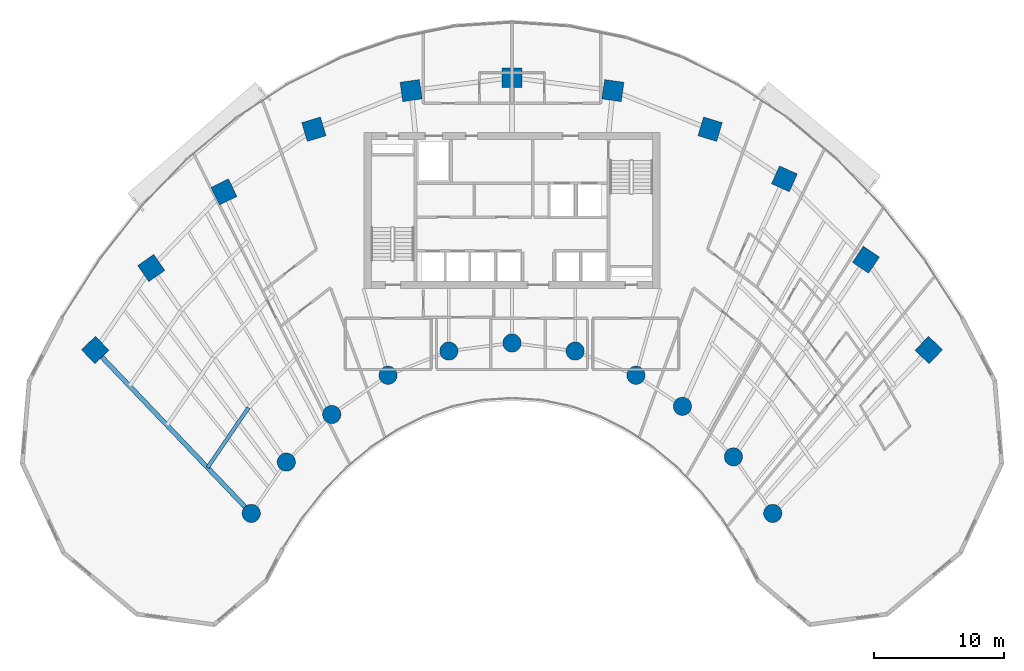
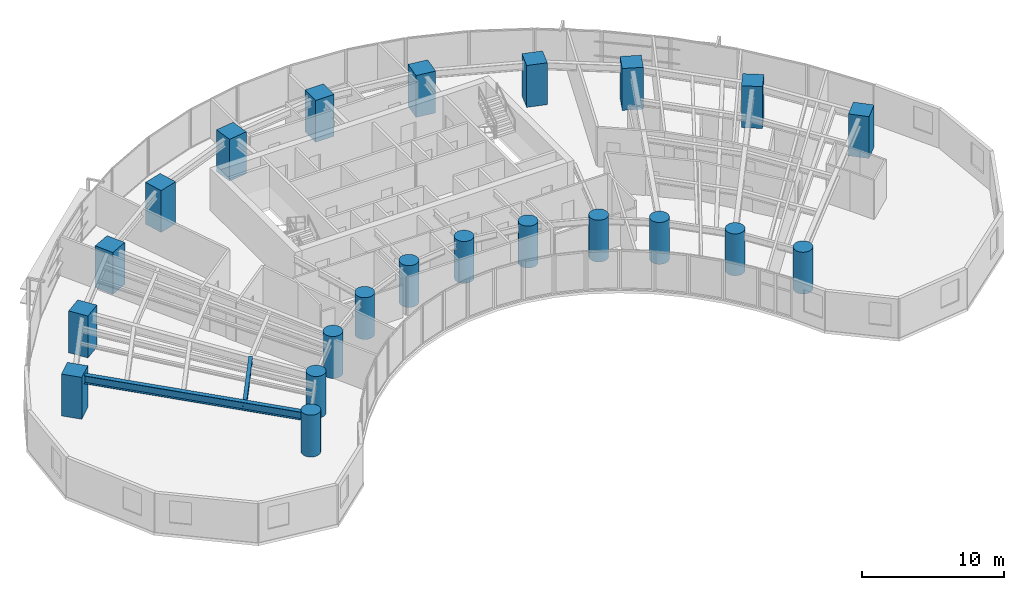
# One storey, part 1 of 17: 22 columns, 2 beams.
"""IFC4 building model written with IfcOpenShell, lengths in metres."""

from ifc_helpers import new_model, si_unit, direction, frame, origin, origin_2d, place, context, subcontext, project, spatial, rectangle, circle, i_section, extrude, source, transform, mapped, material, material_profile, profile_set, type_object, type_shapes, element, save


model = new_model("IFC4")

# Units and contexts
model_context = context("Model", 3, precision=1e-05, world=origin(), true_north=direction((0.0, 1.0)))
body_context = subcontext(model_context, "Body", "Model", "MODEL_VIEW")
ifc_project = project(units=[si_unit("LENGTHUNIT", "METRE"), si_unit("AREAUNIT", "SQUARE_METRE"), si_unit("VOLUMEUNIT", "CUBIC_METRE"), si_unit("PLANEANGLEUNIT", "RADIAN"), si_unit("MASSUNIT", "GRAM", prefix="KILO")], contexts=[model_context])

# Site, building, storey
site_placement = place(None, origin())
site = spatial("IfcSite", under=ifc_project, at=site_placement, CompositionType="ELEMENT")
building_placement = place(site_placement, origin())
building = spatial("IfcBuilding", under=site, at=building_placement, Name="Breltana Convention Tower", CompositionType="ELEMENT")
storey_placement = place(building_placement, frame((0.0, 0.0, 60.60009765625)))
storey = spatial("IfcBuildingStorey", under=building, at=storey_placement, Name="L13", CompositionType="ELEMENT", Elevation=60.60009765625)

# Columns
ifc_material_1 = material(Name="Concrete C60/75", Category="concrete")
ifc_material_profile_1 = material_profile(ifc_material_1, circle(Radius=0.699951171875, at=origin_2d()), Name="RC-COL-D1400")
ifc_profile_set_1 = profile_set([ifc_material_profile_1], Name="Concrete C60/75")
column_type_1 = type_object("IfcColumnType", Name="COL-RC-D1400", PredefinedType="COLUMN", material=ifc_profile_set_1)
shared_shape_1 = source(origin(), body_context, "Body", "SweptSolid", [
    extrude(circle(Radius=0.699951171875, at=origin_2d()), origin(), (0.0, 0.0, 1.0), 3.599853515625),
])
for number, where, z_axis, x_axis, name in (
    (1, (27.984619140625, 42.95458984375, 0.0), (0.0, 0.0, 1.0), (-0.690756218984, 0.723087716626, 0.0), "L13 Tower Column R01-IN"),
    (2, (30.67724609375, 46.892333984375, 0.0), (0.0, 0.0, 1.0), (-0.571143442153, 0.820850271661, 0.0), "L13 Tower Column R02-IN"),
    (3, (34.166259765625, 50.544921875, 0.0), (0.0, 0.0, 1.0), (-0.436173672171, 0.899862504889, 0.0), "L13 Tower Column R03-IN"),
    (4, (38.485107421875, 53.5576171875, 0.0), (0.0, 0.0, 1.0), (-0.288697611798, 0.957420330337, 0.0), "L13 Tower Column R04-IN"),
    (5, (43.153564453125, 55.41064453125, 0.0), (0.0, 0.0, 1.0), (-0.143492621991, 0.98965138682, 0.0), "L13 Tower Column R05-IN"),
    (6, (48.0, 56.035888671875, 0.0), (0.0, 0.0, 1.0), (0.0, 1.0, 0.0), "L13 Tower Column R06-IN"),
    (7, (52.846435546875, 55.41064453125, 0.0), (0.0, 0.0, 1.0), (0.143492621991, 0.98965138682, 0.0), "L13 Tower Column R07-IN"),
    (8, (57.514892578125, 53.5576171875, 0.0), (0.0, 0.0, 1.0), (0.288697611798, 0.957420330337, 0.0), "L13 Tower Column R08-IN"),
    (9, (61.08203125, 51.174560546875, 0.0), (0.0, 0.0, 1.0), (0.409126902895, 0.912477494148, 0.0), "L13 Tower Column R09-IN"),
    (10, (64.995849609375, 47.293701171875, 0.0), (0.0, 0.0, 1.0), (0.55774510898, 0.830012285095, 0.0), "L13 Tower Column R10-IN"),
    (11, (68.015380859375, 42.95458984375, 0.0), (0.0, 0.0, 1.0), (0.690756218984, 0.723087716626, 0.0), "L13 Tower Column R11-IN"),
):
    element("IfcColumn", number, at=place(storey_placement, frame(where, z_axis=z_axis, x_axis=x_axis)), inside=storey, type_object=column_type_1, Name=name, PredefinedType="COLUMN", context=body_context, shape_type="MappedRepresentation", body=[
        mapped(shared_shape_1, transform((0.0, 0.0, 0.0), scale=1.0)),
    ])
ifc_material_profile_2 = material_profile(ifc_material_1, rectangle(XDim=1.5, YDim=1.5, at=origin_2d()), Name="RC-COL-1500X1500")
ifc_profile_set_2 = profile_set([ifc_material_profile_2], Name="Concrete C60/75")
column_type_2 = type_object("IfcColumnType", Name="COL-RC-1500", PredefinedType="COLUMN", material=ifc_profile_set_2)
shared_shape_2 = source(origin(), body_context, "Body", "SweptSolid", [
    extrude(rectangle(XDim=1.5, YDim=1.5, at=origin_2d()), origin(), (0.0, 0.0, 1.0), 3.599853515625),
])
for number, where, z_axis, x_axis, name in (
    (12, (16.0068359375, 55.494384765625, 0.0), (0.0, 0.0, 1.0), (-0.690756218984, 0.723087716626, 0.0), "L13 Tower Column R01-OUT"),
    (13, (20.310791015625, 61.78857421875, 0.0), (0.0, 0.0, 1.0), (-0.571143442153, 0.820850271661, 0.0), "L13 Tower Column R02-OUT"),
    (14, (25.8876953125, 67.626953125, 0.0), (0.0, 0.0, 1.0), (-0.436173672171, 0.899862504889, 0.0), "L13 Tower Column R03-OUT"),
    (15, (32.791015625, 72.4423828125, 0.0), (0.0, 0.0, 1.0), (-0.288697611798, 0.957420330337, 0.0), "L13 Tower Column R04-OUT"),
    (16, (40.253173828125, 75.404296875, 0.0), (0.0, 0.0, 1.0), (-0.143492621991, 0.98965138682, 0.0), "L13 Tower Column R05-OUT"),
    (17, (48.0, 76.404052734375, 0.0), (0.0, 0.0, 1.0), (0.0, 1.0, 0.0), "L13 Tower Column R06-OUT"),
    (18, (55.746826171875, 75.404296875, 0.0), (0.0, 0.0, 1.0), (0.143492621991, 0.98965138682, 0.0), "L13 Tower Column R07-OUT"),
    (19, (63.208984375, 72.4423828125, 0.0), (0.0, 0.0, 1.0), (0.288697611798, 0.957420330337, 0.0), "L13 Tower Column R08-OUT"),
    (20, (68.910400390625, 68.63330078125, 0.0), (0.0, 0.0, 1.0), (0.409126902895, 0.912477494148, 0.0), "L13 Tower Column R09-OUT"),
    (21, (75.166748046875, 62.43017578125, 0.0), (0.0, 0.0, 1.0), (0.55774510898, 0.830012285095, 0.0), "L13 Tower Column R10-OUT"),
    (22, (79.9931640625, 55.494384765625, 0.0), (0.0, 0.0, 1.0), (0.690756218984, 0.723087716626, 0.0), "L13 Tower Column R11-OUT"),
):
    element("IfcColumn", number, at=place(storey_placement, frame(where, z_axis=z_axis, x_axis=x_axis)), inside=storey, type_object=column_type_2, Name=name, PredefinedType="COLUMN", context=body_context, shape_type="MappedRepresentation", body=[
        mapped(shared_shape_2, transform((0.0, 0.0, 0.0), scale=1.0)),
    ])

# Beams
ifc_material_2 = material(Name="Steel ASTM A992 Grade 50", Category="steel")
ifc_material_profile_3 = material_profile(ifc_material_2, i_section(OverallWidth=0.35498046875, OverallDepth=0.696044921875, WebThickness=0.015380859375, FlangeThickness=0.02490234375, at=origin_2d()), Name="W27X146")
ifc_profile_set_3 = profile_set([ifc_material_profile_3], Name="Steel ASTM A992 Grade 50")
beam_type_1 = type_object("IfcBeamType", Name="BM-RG-W27X146", PredefinedType="USERDEFINED", material=ifc_profile_set_3)
shared_shape_3 = source(origin(), body_context, "Body", "SweptSolid", [
    extrude(i_section(OverallWidth=0.35498046875, OverallDepth=0.696044921875, WebThickness=0.015380859375, FlangeThickness=0.02490234375, at=origin_2d()), origin(), (0.0, 0.0, 1.0), 17.341064453125),
])
type_shapes(beam_type_1, [shared_shape_3])
beam_1_placement = place(storey_placement, frame((27.984619140625, 42.95458984375, 3.011962890625), z_axis=(-0.690716462293, 0.723125693581, 0.0), x_axis=(-0.723125693581, -0.690716462293, 0.0)))
element("IfcBeam", 23, at=beam_1_placement, inside=storey, type_object=beam_type_1, Name="L13 Radial Floor Girder R01", ObjectType="GIRDER", PredefinedType="USERDEFINED", context=body_context, shape_type="MappedRepresentation", body=[
    mapped(shared_shape_3, transform((0.0, 0.0, 0.0), scale=1.0)),
])
ifc_material_profile_4 = material_profile(ifc_material_2, i_section(OverallWidth=0.280029296875, OverallDepth=0.462890625, WebThickness=0.0107421875, FlangeThickness=0.017333984375, at=origin_2d()), Name="W18X76")
ifc_profile_set_4 = profile_set([ifc_material_profile_4], Name="Steel ASTM A992 Grade 50")
beam_type_2 = type_object("IfcBeamType", Name="BM-JSG-06", PredefinedType="JOIST", material=ifc_profile_set_4)
shared_shape_4 = source(origin(), body_context, "Body", "SweptSolid", [
    extrude(i_section(OverallWidth=0.280029296875, OverallDepth=0.462890625, WebThickness=0.0107421875, FlangeThickness=0.017333984375, at=origin_2d()), origin(), (0.0, 0.0, 1.0), 5.569580078125),
])
type_shapes(beam_type_2, [shared_shape_4])
beam_2_placement = place(storey_placement, frame((24.630615234375, 46.4658203125, 3.12841796875), z_axis=(0.564493760458, 0.825437335237, 0.0), x_axis=(-0.825437335237, 0.564493760458, 0.0)))
element("IfcBeam", 24, at=beam_2_placement, inside=storey, type_object=beam_type_2, Name="L13 Composite Floor Joist 01.1", PredefinedType="JOIST", context=body_context, shape_type="MappedRepresentation", body=[
    mapped(shared_shape_4, transform((0.0, 0.0, 0.0), scale=1.0)),
])

save(model, "model.ifc")
